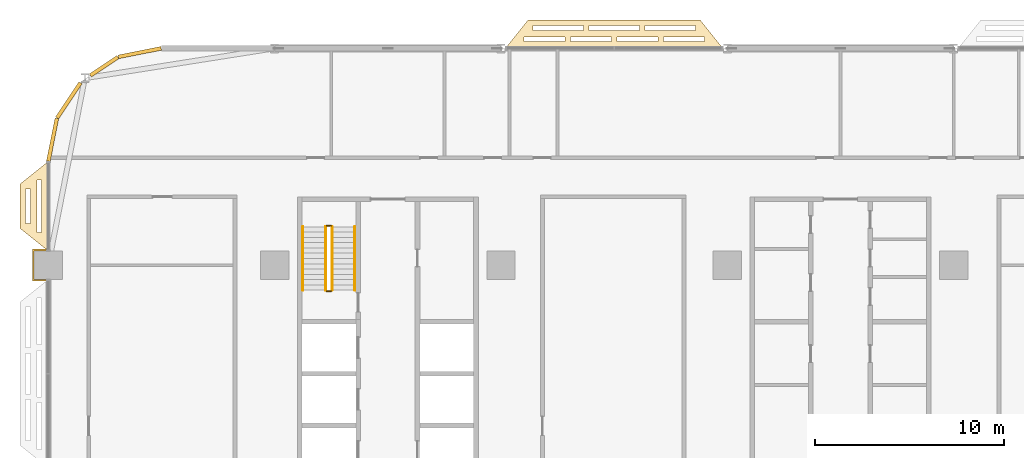
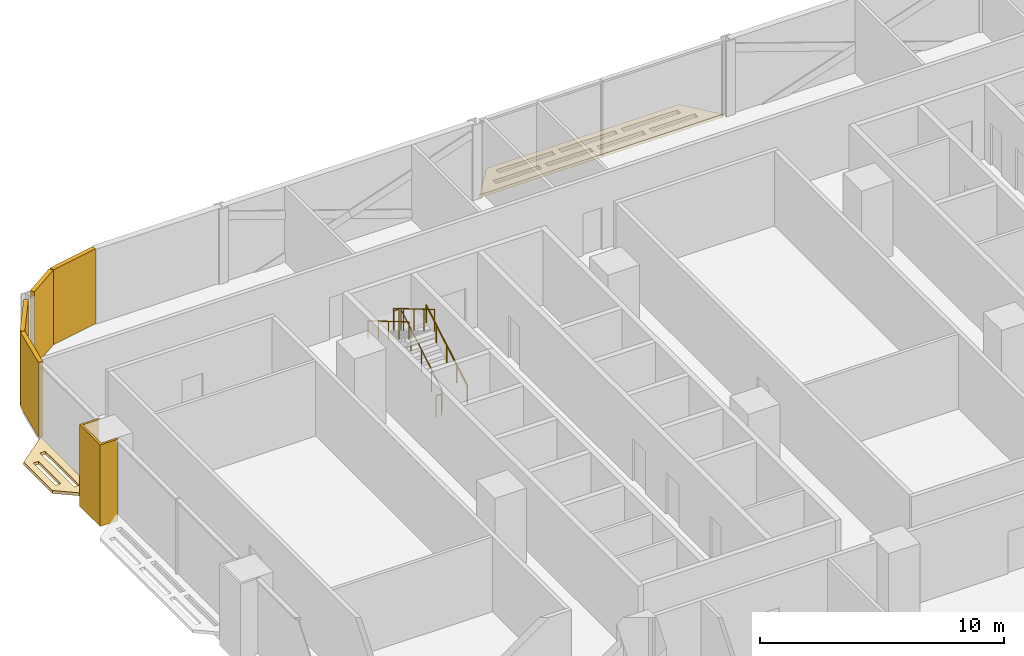
# One storey, part 26 of 29: 7 coverings, 6 railings.
"""IFC4 building model written with IfcOpenShell, lengths in metres."""

from ifc_helpers import new_model, si_unit, direction, frame, origin, origin_2d, place, context, subcontext, project, spatial, polyline, rectangle, circle, outline, extrude, material, layer, layer_set, type_object, element, save


model = new_model("IFC4")

# Units and contexts
model_context = context("Model", 3, precision=1e-05, world=origin(), true_north=direction((0.0, 1.0)))
body_context = subcontext(model_context, "Body", "Model", "MODEL_VIEW")
ifc_project = project(units=[si_unit("LENGTHUNIT", "METRE"), si_unit("AREAUNIT", "SQUARE_METRE"), si_unit("VOLUMEUNIT", "CUBIC_METRE"), si_unit("PLANEANGLEUNIT", "RADIAN"), si_unit("MASSUNIT", "GRAM", prefix="KILO")], contexts=[model_context])

# Site, building, storey
site_placement = place(None, origin())
site = spatial("IfcSite", under=ifc_project, at=site_placement, CompositionType="ELEMENT")
building_placement = place(site_placement, origin())
building = spatial("IfcBuilding", under=site, at=building_placement, Name="Mahtab Terrace Research Tower", CompositionType="ELEMENT")
storey_placement = place(building_placement, frame((0.0, 0.0, 76.10009765625)))
storey = spatial("IfcBuildingStorey", under=building, at=storey_placement, Name="L17", CompositionType="ELEMENT", Elevation=76.10009765625)

# Coverings
ifc_material_1 = material(Name="Black aluminium cladding panel", Category="aluminium")
ifc_layer_1 = layer(ifc_material_1, 0.199951171875)
ifc_layer_set_1 = layer_set([ifc_layer_1], Name="Black metal corner cladding 200")
covering_type_1 = type_object("IfcCoveringType", Name="Black metal corner cladding 200", PredefinedType="CLADDING", material=ifc_layer_set_1)
covering_1_placement = place(storey_placement, frame((-37.14794921875, 22.771484375, 0.0), z_axis=(0.0, 0.0, 1.0), x_axis=(-0.980760981187, -0.195212442692, 0.0)))
element("IfcCovering", 1, at=covering_1_placement, inside=storey, type_object=covering_type_1, Name="Corner cladding L17 11", PredefinedType="CLADDING", context=body_context, shape_type="SweptSolid", body=[
    extrude(rectangle(XDim=2.30126953125, YDim=0.199951171875, at=origin_2d()), origin(), (0.0, 0.0, 1.0), 3.75),
])
covering_2_placement = place(storey_placement, frame((-39.0380859375, 22.047607421875, 0.0), z_axis=(0.0, 0.0, 1.0), x_axis=(-0.831655794326, -0.555291490808, 0.0)))
element("IfcCovering", 2, at=covering_2_placement, inside=storey, type_object=covering_type_1, Name="Corner cladding L17 12", PredefinedType="CLADDING", context=body_context, shape_type="SweptSolid", body=[
    extrude(rectangle(XDim=1.74462890625, YDim=0.199951171875, at=origin_2d()), origin(), (0.0, 0.0, 1.0), 3.75),
])
covering_3_placement = place(storey_placement, frame((-40.911376953125, 20.2421875, 0.0), z_axis=(0.0, 0.0, 1.0), x_axis=(-0.555291490808, -0.831655794326, 0.0)))
element("IfcCovering", 3, at=covering_3_placement, inside=storey, type_object=covering_type_1, Name="Corner cladding L17 13", PredefinedType="CLADDING", context=body_context, shape_type="SweptSolid", body=[
    extrude(rectangle(XDim=2.235595703125, YDim=0.199951171875, at=origin_2d()), origin(), (0.0, 0.0, 1.0), 3.75),
])
covering_4_placement = place(storey_placement, frame((-41.771484375, 18.14794921875, 0.0), z_axis=(0.0, 0.0, 1.0), x_axis=(-0.195212442692, -0.980760981187, 0.0)))
element("IfcCovering", 4, at=covering_4_placement, inside=storey, type_object=covering_type_1, Name="Corner cladding L17 14", PredefinedType="CLADDING", context=body_context, shape_type="SweptSolid", body=[
    extrude(rectangle(XDim=2.30126953125, YDim=0.199951171875, at=origin_2d()), origin(), (0.0, 0.0, 1.0), 3.75),
])
ifc_material_2 = material(Name="Dark anodised aluminium cladding", Category="aluminium")
ifc_layer_2 = layer(ifc_material_2, 0.10009765625)
ifc_layer_set_2 = layer_set([ifc_layer_2], Name="Column casing 100")
covering_type_2 = type_object("IfcCoveringType", Name="Column casing 100", PredefinedType="CLADDING", material=ifc_layer_set_2)
covering_5_placement = place(storey_placement, frame((0.0, 0.0, -0.340087890625)))
element("IfcCovering", 5, at=covering_5_placement, inside=storey, type_object=covering_type_2, Name="Column casing RC-1C L17", PredefinedType="CLADDING", context=body_context, shape_type="SweptSolid", body=[
    extrude(outline(polyline([(-42.85009765625, 12.35009765625), (-42.0, 12.35009765625), (-42.0, 12.25), (-42.75, 12.25), (-42.75, 10.75), (-42.0, 10.75), (-42.0, 10.64990234375), (-42.85009765625, 10.64990234375), (-42.85009765625, 12.35009765625)])), origin(), (0.0, 0.0, 1.0), 4.090087890625),
])
ifc_material_3 = material(Name="Black anodised aluminium", Category="aluminium")
ifc_layer_3 = layer(ifc_material_3, 0.14990234375)
ifc_layer_set_3 = layer_set([ifc_layer_3], Name="Horizontal sunshade band")
covering_type_3 = type_object("IfcCoveringType", Name="Horizontal sunshade band", PredefinedType="CLADDING", material=ifc_layer_set_3)
covering_6_placement = place(storey_placement, frame((0.0, 0.0, -0.150146484375)))
element("IfcCovering", 6, at=covering_6_placement, inside=storey, type_object=covering_type_3, Name="Sunshade band L17 8", PredefinedType="CLADDING", context=body_context, shape_type="SweptSolid", body=[
    extrude(outline(polyline([(-6.238037109375, 23.0), (-17.761962890625, 23.0), (-16.56201171875, 24.5), (-7.43798828125, 24.5), (-6.238037109375, 23.0)]), holes=[polyline([(-7.218017578125, 23.35009765625), (-9.384033203125, 23.35009765625), (-9.384033203125, 23.60009765625), (-7.218017578125, 23.60009765625), (-7.218017578125, 23.35009765625)]), polyline([(-9.68408203125, 23.35009765625), (-11.85009765625, 23.35009765625), (-11.85009765625, 23.60009765625), (-9.68408203125, 23.60009765625), (-9.68408203125, 23.35009765625)]), polyline([(-12.14990234375, 23.35009765625), (-14.31591796875, 23.35009765625), (-14.31591796875, 23.60009765625), (-12.14990234375, 23.60009765625), (-12.14990234375, 23.35009765625)]), polyline([(-14.615966796875, 23.35009765625), (-16.781982421875, 23.35009765625), (-16.781982421875, 23.60009765625), (-14.615966796875, 23.60009765625), (-14.615966796875, 23.35009765625)]), polyline([(-7.697998046875, 23.949951171875), (-10.365966796875, 23.949951171875), (-10.365966796875, 24.199951171875), (-7.697998046875, 24.199951171875), (-7.697998046875, 23.949951171875)]), polyline([(-10.666015625, 23.949951171875), (-13.333984375, 23.949951171875), (-13.333984375, 24.199951171875), (-10.666015625, 24.199951171875), (-10.666015625, 23.949951171875)]), polyline([(-13.634033203125, 23.949951171875), (-16.302001953125, 23.949951171875), (-16.302001953125, 24.199951171875), (-13.634033203125, 24.199951171875), (-13.634033203125, 23.949951171875)])]), origin(), (0.0, 0.0, 1.0), 0.150146484375),
])
covering_7_placement = place(storey_placement, frame((0.0, 0.0, -0.150146484375)))
element("IfcCovering", 7, at=covering_7_placement, inside=storey, type_object=covering_type_3, Name="Sunshade band L17 15", PredefinedType="CLADDING", context=body_context, shape_type="SweptSolid", body=[
    extrude(outline(polyline([(-42.0, 17.0), (-42.0, 12.25), (-43.5, 13.449951171875), (-43.5, 15.800048828125), (-42.0, 17.0)]), holes=[polyline([(-42.35009765625, 16.02001953125), (-42.35009765625, 13.22998046875), (-42.60009765625, 13.22998046875), (-42.60009765625, 16.02001953125), (-42.35009765625, 16.02001953125)]), polyline([(-42.949951171875, 15.5400390625), (-42.949951171875, 13.7099609375), (-43.199951171875, 13.7099609375), (-43.199951171875, 15.5400390625), (-42.949951171875, 15.5400390625)])]), origin(), (0.0, 0.0, 1.0), 0.150146484375),
])

# Railings
ifc_material_4 = material(Name="Stainless steel AISI 304", Category="steel")
railing_type_1 = type_object("IfcRailingType", Name="Stair guard 1100", PredefinedType="GUARDRAIL", material=ifc_material_4)
railing_1_placement = place(storey_placement, frame((-26.949951171875, 10.175048828125, 0.165283203125)))
element("IfcRailing", 8, at=railing_1_placement, inside=storey, type_object=railing_type_1, Name="L17 ST1 stair guard 1", PredefinedType="GUARDRAIL", context=body_context, shape_type="SweptSolid", body=[
    extrude(circle(Radius=0.02392578125, at=origin_2d()), frame((0.0, 0.0, 1.076171875), z_axis=(0.0, 0.861011212953, 0.508585972249), x_axis=(-1.0, 0.0, 0.0)), (0.0, 0.0, 1.0), 3.90234375),
    extrude(circle(Radius=0.02099609375, at=origin_2d()), origin(), (0.0, 0.0, 1.0), 1.052001953125),
    extrude(circle(Radius=0.02099609375, at=origin_2d()), frame((0.0, 0.83984375, 0.49609375)), (0.0, 0.0, 1.0), 1.052001953125),
    extrude(circle(Radius=0.02099609375, at=origin_2d()), frame((0.0, 1.679931640625, 0.9921875)), (0.0, 0.0, 1.0), 1.052001953125),
    extrude(circle(Radius=0.02099609375, at=origin_2d()), frame((0.0, 2.52001953125, 1.488525390625)), (0.0, 0.0, 1.0), 1.052001953125),
    extrude(circle(Radius=0.02099609375, at=origin_2d()), frame((0.0, 3.35986328125, 1.984619140625)), (0.0, 0.0, 1.0), 1.052001953125),
])
railing_2_placement = place(storey_placement, frame((-27.0, 13.5849609375, 2.14990234375)))
element("IfcRailing", 9, at=railing_2_placement, inside=storey, type_object=railing_type_1, Name="L17 ST1 stair guard 2", PredefinedType="GUARDRAIL", context=body_context, shape_type="SweptSolid", body=[
    extrude(circle(Radius=0.02392578125, at=origin_2d()), frame((0.0, 0.0, 1.076171875), z_axis=(-1.0, 0.0, 0.0), x_axis=(0.0, -1.0, 0.0)), (0.0, 0.0, 1.0), 0.25),
    extrude(circle(Radius=0.02099609375, at=origin_2d()), origin(), (0.0, 0.0, 1.0), 1.052001953125),
    extrude(circle(Radius=0.02099609375, at=origin_2d()), frame((-0.25, 0.0, 0.0)), (0.0, 0.0, 1.0), 1.052001953125),
])
railing_3_placement = place(storey_placement, frame((-27.300048828125, 13.534912109375, 2.315185546875)))
element("IfcRailing", 10, at=railing_3_placement, inside=storey, type_object=railing_type_1, Name="L17 ST1 stair guard 3", PredefinedType="GUARDRAIL", context=body_context, shape_type="SweptSolid", body=[
    extrude(circle(Radius=0.02392578125, at=origin_2d()), frame((0.0, 0.0, 1.076171875), z_axis=(0.0, -0.861011212953, 0.508585972249), x_axis=(1.0, 0.0, 0.0)), (0.0, 0.0, 1.0), 3.90234375),
    extrude(circle(Radius=0.02099609375, at=origin_2d()), origin(), (0.0, 0.0, 1.0), 1.052001953125),
    extrude(circle(Radius=0.02099609375, at=origin_2d()), frame((0.0, -0.83984375, 0.49609375)), (0.0, 0.0, 1.0), 1.052001953125),
    extrude(circle(Radius=0.02099609375, at=origin_2d()), frame((0.0, -1.679931640625, 0.9921875)), (0.0, 0.0, 1.0), 1.052001953125),
    extrude(circle(Radius=0.02099609375, at=origin_2d()), frame((0.0, -2.52001953125, 1.488525390625)), (0.0, 0.0, 1.0), 1.052001953125),
    extrude(circle(Radius=0.02099609375, at=origin_2d()), frame((0.0, -3.35986328125, 1.984619140625)), (0.0, 0.0, 1.0), 1.052001953125),
])
railing_4_placement = place(storey_placement, frame((-27.0, 10.125, 0.0)))
element("IfcRailing", 11, at=railing_4_placement, inside=storey, type_object=railing_type_1, Name="L17 ST1 stair guard 4", PredefinedType="GUARDRAIL", context=body_context, shape_type="SweptSolid", body=[
    extrude(circle(Radius=0.02392578125, at=origin_2d()), frame((0.0, 0.0, 1.076171875), z_axis=(-1.0, 0.0, 0.0), x_axis=(0.0, -1.0, 0.0)), (0.0, 0.0, 1.0), 0.25),
    extrude(circle(Radius=0.02099609375, at=origin_2d()), origin(), (0.0, 0.0, 1.0), 1.052001953125),
    extrude(circle(Radius=0.02099609375, at=origin_2d()), frame((-0.25, 0.0, 0.0)), (0.0, 0.0, 1.0), 1.052001953125),
])
railing_type_2 = type_object("IfcRailingType", Name="Stair handrail 900", PredefinedType="HANDRAIL", material=ifc_material_4)
railing_5_placement = place(storey_placement, frame((-25.75, 10.175048828125, 0.165283203125)))
element("IfcRailing", 12, at=railing_5_placement, inside=storey, type_object=railing_type_2, Name="L17 ST1 stair handrail 1", PredefinedType="HANDRAIL", context=body_context, shape_type="SweptSolid", body=[
    extrude(circle(Radius=0.02392578125, at=origin_2d()), frame((0.0, 0.0, 0.8759765625), z_axis=(0.0, 0.861011212953, 0.508585972249), x_axis=(-1.0, 0.0, 0.0)), (0.0, 0.0, 1.0), 3.90234375),
    extrude(circle(Radius=0.02099609375, at=origin_2d()), origin(), (0.0, 0.0, 1.0), 0.851806640625),
    extrude(circle(Radius=0.02099609375, at=origin_2d()), frame((0.0, 0.83984375, 0.49609375)), (0.0, 0.0, 1.0), 0.851806640625),
    extrude(circle(Radius=0.02099609375, at=origin_2d()), frame((0.0, 1.679931640625, 0.9921875)), (0.0, 0.0, 1.0), 0.851806640625),
    extrude(circle(Radius=0.02099609375, at=origin_2d()), frame((0.0, 2.52001953125, 1.488525390625)), (0.0, 0.0, 1.0), 0.851806640625),
    extrude(circle(Radius=0.02099609375, at=origin_2d()), frame((0.0, 3.35986328125, 1.984619140625)), (0.0, 0.0, 1.0), 0.851806640625),
])
railing_6_placement = place(storey_placement, frame((-28.5, 13.534912109375, 2.315185546875)))
element("IfcRailing", 13, at=railing_6_placement, inside=storey, type_object=railing_type_2, Name="L17 ST1 stair handrail 2", PredefinedType="HANDRAIL", context=body_context, shape_type="SweptSolid", body=[
    extrude(circle(Radius=0.02392578125, at=origin_2d()), frame((0.0, 0.0, 0.8759765625), z_axis=(0.0, -0.861011212953, 0.508585972249), x_axis=(1.0, 0.0, 0.0)), (0.0, 0.0, 1.0), 3.90234375),
    extrude(circle(Radius=0.02099609375, at=origin_2d()), origin(), (0.0, 0.0, 1.0), 0.851806640625),
    extrude(circle(Radius=0.02099609375, at=origin_2d()), frame((0.0, -0.83984375, 0.49609375)), (0.0, 0.0, 1.0), 0.851806640625),
    extrude(circle(Radius=0.02099609375, at=origin_2d()), frame((0.0, -1.679931640625, 0.9921875)), (0.0, 0.0, 1.0), 0.851806640625),
    extrude(circle(Radius=0.02099609375, at=origin_2d()), frame((0.0, -2.52001953125, 1.488525390625)), (0.0, 0.0, 1.0), 0.851806640625),
    extrude(circle(Radius=0.02099609375, at=origin_2d()), frame((0.0, -3.35986328125, 1.984619140625)), (0.0, 0.0, 1.0), 0.851806640625),
])

save(model, "model.ifc")
